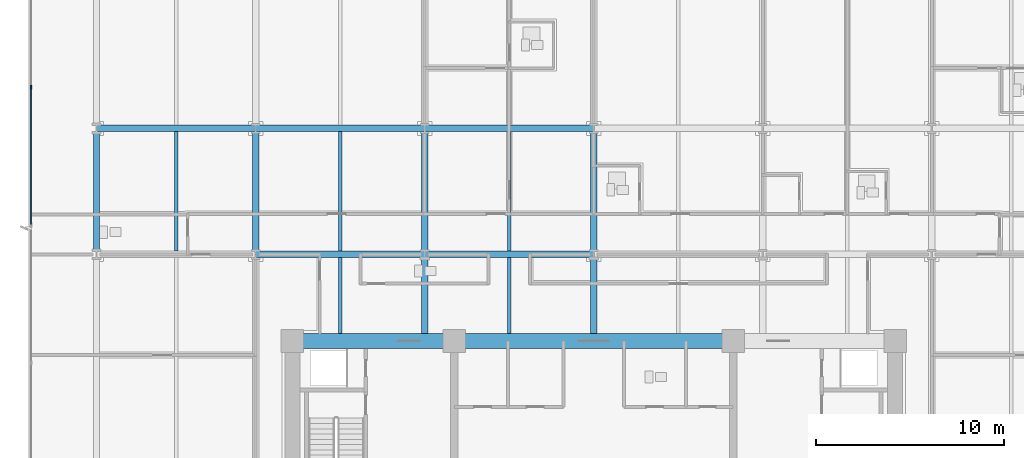
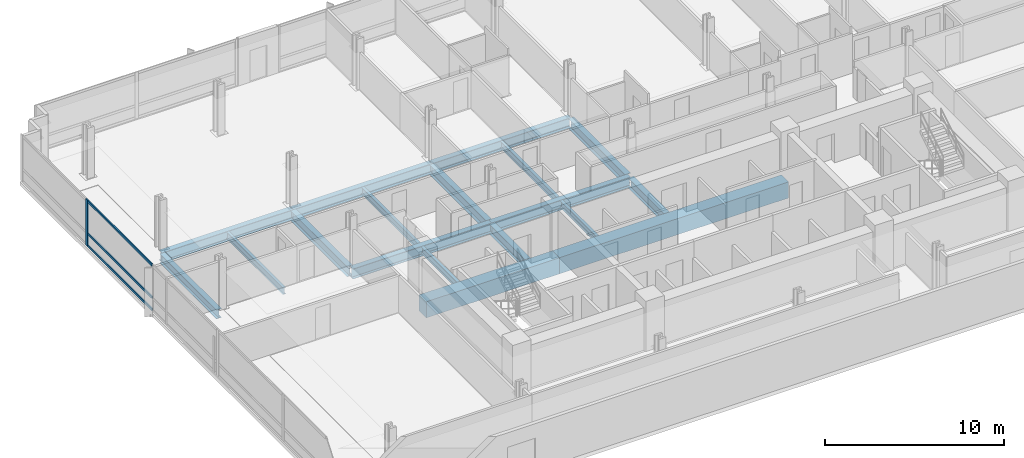
# One storey, part 3 of 17: 18 beams, 4 members, 1 element without a shape of its own.
"""IFC4 building model written with IfcOpenShell, lengths in metres."""

from ifc_helpers import new_model, si_unit, direction, frame, origin, origin_2d, place, context, subcontext, project, spatial, rectangle, i_section, extrude, material, material_profile, profile_set, type_object, element, aggregate, save


model = new_model("IFC4")

# Units and contexts
model_context = context("Model", 3, precision=1e-05, world=origin(), true_north=direction((0.0, 1.0)))
body_context = subcontext(model_context, "Body", "Model", "MODEL_VIEW")
ifc_project = project(units=[si_unit("LENGTHUNIT", "METRE"), si_unit("AREAUNIT", "SQUARE_METRE"), si_unit("VOLUMEUNIT", "CUBIC_METRE"), si_unit("PLANEANGLEUNIT", "RADIAN"), si_unit("MASSUNIT", "GRAM", prefix="KILO")], contexts=[model_context])

# Site, building, storey
site_placement = place(None, origin())
site = spatial("IfcSite", under=ifc_project, at=site_placement, CompositionType="ELEMENT")
building_placement = place(site_placement, origin())
building = spatial("IfcBuilding", under=site, at=building_placement, Name="Solmavex Isthmus Hotel", CompositionType="ELEMENT")
storey_placement = place(building_placement, frame((0.0, 0.0, 40.199951171875)))
storey = spatial("IfcBuildingStorey", under=building, at=storey_placement, Name="L10", CompositionType="ELEMENT", Elevation=40.199951171875)

# Beams
ifc_material_1 = material(Name="Steel ASTM A992 Grade 50", Category="steel")
ifc_material_profile_1 = material_profile(ifc_material_1, i_section(OverallWidth=0.354736328125, OverallDepth=0.695556640625, WebThickness=0.015380859375, FlangeThickness=0.02490234375, FilletRadius=0.017822265625, at=origin_2d()), Name="W27X146")
ifc_profile_set_1 = profile_set([ifc_material_profile_1], Name="Steel ASTM A992 Grade 50")
beam_type_1 = type_object("IfcBeamType", Name="BM-BG-W27X146", PredefinedType="BEAM", material=ifc_profile_set_1)
beam_1_placement = place(storey_placement, frame((-17.951904296875, 2.10009765625, -0.607666015625), z_axis=(1.0, 0.0, 0.0), x_axis=(0.0, 1.0, 0.0)))
element("IfcBeam", 1, at=beam_1_placement, inside=storey, type_object=beam_type_1, Name="Floor Girder L10-UG08", PredefinedType="BEAM", context=body_context, shape_type="SweptSolid", body=[
    extrude(i_section(OverallWidth=0.354736328125, OverallDepth=0.695556640625, WebThickness=0.015380859375, FlangeThickness=0.02490234375, FilletRadius=0.017822265625, at=origin_2d()), origin(), (0.0, 0.0, 1.0), 8.975830078125),
])
beam_2_placement = place(storey_placement, frame((-8.97607421875, 2.10009765625, -0.607666015625), z_axis=(1.0, 0.0, 0.0), x_axis=(0.0, 1.0, 0.0)))
element("IfcBeam", 2, at=beam_2_placement, inside=storey, type_object=beam_type_1, Name="Floor Girder L10-UG09", PredefinedType="BEAM", context=body_context, shape_type="SweptSolid", body=[
    extrude(i_section(OverallWidth=0.354736328125, OverallDepth=0.695556640625, WebThickness=0.015380859375, FlangeThickness=0.02490234375, FilletRadius=0.017822265625, at=origin_2d()), origin(), (0.0, 0.0, 1.0), 8.97607421875),
])
beam_3_placement = place(storey_placement, frame((-26.39990234375, 8.7880859375, -0.607666015625), z_axis=(1.0, 0.0, 0.0), x_axis=(0.0, 1.0, 0.0)))
element("IfcBeam", 3, at=beam_3_placement, inside=storey, type_object=beam_type_1, Name="Floor Girder L10-UG13", PredefinedType="BEAM", context=body_context, shape_type="SweptSolid", body=[
    extrude(i_section(OverallWidth=0.354736328125, OverallDepth=0.695556640625, WebThickness=0.015380859375, FlangeThickness=0.02490234375, FilletRadius=0.017822265625, at=origin_2d()), origin(), (0.0, 0.0, 1.0), 8.447998046875),
])
beam_4_placement = place(storey_placement, frame((-17.951904296875, 8.7880859375, -0.607666015625), z_axis=(1.0, 0.0, 0.0), x_axis=(0.0, 1.0, 0.0)))
element("IfcBeam", 4, at=beam_4_placement, inside=storey, type_object=beam_type_1, Name="Floor Girder L10-UG14", PredefinedType="BEAM", context=body_context, shape_type="SweptSolid", body=[
    extrude(i_section(OverallWidth=0.354736328125, OverallDepth=0.695556640625, WebThickness=0.015380859375, FlangeThickness=0.02490234375, FilletRadius=0.017822265625, at=origin_2d()), origin(), (0.0, 0.0, 1.0), 8.975830078125),
])
beam_5_placement = place(storey_placement, frame((-8.97607421875, 8.7880859375, -0.607666015625), z_axis=(1.0, 0.0, 0.0), x_axis=(0.0, 1.0, 0.0)))
element("IfcBeam", 5, at=beam_5_placement, inside=storey, type_object=beam_type_1, Name="Floor Girder L10-UG15", PredefinedType="BEAM", context=body_context, shape_type="SweptSolid", body=[
    extrude(i_section(OverallWidth=0.354736328125, OverallDepth=0.695556640625, WebThickness=0.015380859375, FlangeThickness=0.02490234375, FilletRadius=0.017822265625, at=origin_2d()), origin(), (0.0, 0.0, 1.0), 8.97607421875),
])
beam_6_placement = place(storey_placement, frame((-17.951904296875, 2.27734375, -0.607666015625), z_axis=(0.0, 1.0, 0.0), x_axis=(-1.0, 0.0, 0.0)))
element("IfcBeam", 6, at=beam_6_placement, inside=storey, type_object=beam_type_1, Name="Floor Beam L10-VG29", PredefinedType="BEAM", context=body_context, shape_type="SweptSolid", body=[
    extrude(i_section(OverallWidth=0.354736328125, OverallDepth=0.695556640625, WebThickness=0.015380859375, FlangeThickness=0.02490234375, FilletRadius=0.017822265625, at=origin_2d()), origin(), (0.0, 0.0, 1.0), 6.333251953125),
])
beam_7_placement = place(storey_placement, frame((-8.97607421875, -2.10009765625, -0.607666015625), z_axis=(0.0, 1.0, 0.0), x_axis=(-1.0, 0.0, 0.0)))
element("IfcBeam", 7, at=beam_7_placement, inside=storey, type_object=beam_type_1, Name="Floor Beam L10-VG32", PredefinedType="BEAM", context=body_context, shape_type="SweptSolid", body=[
    extrude(i_section(OverallWidth=0.354736328125, OverallDepth=0.695556640625, WebThickness=0.015380859375, FlangeThickness=0.02490234375, FilletRadius=0.017822265625, at=origin_2d()), origin(), (0.0, 0.0, 1.0), 4.022705078125),
])
beam_8_placement = place(storey_placement, frame((-8.97607421875, 2.27734375, -0.607666015625), z_axis=(0.0, 1.0, 0.0), x_axis=(-1.0, 0.0, 0.0)))
element("IfcBeam", 8, at=beam_8_placement, inside=storey, type_object=beam_type_1, Name="Floor Beam L10-VG33", PredefinedType="BEAM", context=body_context, shape_type="SweptSolid", body=[
    extrude(i_section(OverallWidth=0.354736328125, OverallDepth=0.695556640625, WebThickness=0.015380859375, FlangeThickness=0.02490234375, FilletRadius=0.017822265625, at=origin_2d()), origin(), (0.0, 0.0, 1.0), 6.333251953125),
])
beam_9_placement = place(storey_placement, frame((0.0, -2.10009765625, -0.607666015625), z_axis=(0.0, 1.0, 0.0), x_axis=(-1.0, 0.0, 0.0)))
element("IfcBeam", 9, at=beam_9_placement, inside=storey, type_object=beam_type_1, Name="Floor Beam L10-VG36", PredefinedType="BEAM", context=body_context, shape_type="SweptSolid", body=[
    extrude(i_section(OverallWidth=0.354736328125, OverallDepth=0.695556640625, WebThickness=0.015380859375, FlangeThickness=0.02490234375, FilletRadius=0.017822265625, at=origin_2d()), origin(), (0.0, 0.0, 1.0), 4.022705078125),
])
beam_10_placement = place(storey_placement, frame((0.0, 2.27734375, -0.607666015625), z_axis=(0.0, 1.0, 0.0), x_axis=(-1.0, 0.0, 0.0)))
element("IfcBeam", 10, at=beam_10_placement, inside=storey, type_object=beam_type_1, Name="Floor Beam L10-VG37", PredefinedType="BEAM", context=body_context, shape_type="SweptSolid", body=[
    extrude(i_section(OverallWidth=0.354736328125, OverallDepth=0.695556640625, WebThickness=0.015380859375, FlangeThickness=0.02490234375, FilletRadius=0.017822265625, at=origin_2d()), origin(), (0.0, 0.0, 1.0), 6.333251953125),
])
ifc_material_profile_2 = material_profile(ifc_material_1, i_section(OverallWidth=0.1904296875, OverallDepth=0.456787109375, WebThickness=0.009033203125, FlangeThickness=0.014404296875, FilletRadius=0.0126953125, at=origin_2d()), Name="W18X50")
ifc_profile_set_2 = profile_set([ifc_material_profile_2], Name="Steel ASTM A992 Grade 50")
beam_type_2 = type_object("IfcBeamType", Name="BM-BJ-W18X50", PredefinedType="JOIST", material=ifc_profile_set_2)
beam_11_placement = place(storey_placement, frame((-22.176025390625, 2.27734375, -0.48828125), z_axis=(0.0, 1.0, 0.0), x_axis=(-1.0, 0.0, 0.0)))
element("IfcBeam", 11, at=beam_11_placement, inside=storey, type_object=beam_type_2, Name="Secondary Floor Joist L10-J02", PredefinedType="JOIST", context=body_context, shape_type="SweptSolid", body=[
    extrude(i_section(OverallWidth=0.1904296875, OverallDepth=0.456787109375, WebThickness=0.009033203125, FlangeThickness=0.014404296875, FilletRadius=0.0126953125, at=origin_2d()), origin(), (0.0, 0.0, 1.0), 6.333251953125),
])
beam_12_placement = place(storey_placement, frame((-13.464111328125, -2.10009765625, -0.48828125), z_axis=(0.0, 1.0, 0.0), x_axis=(-1.0, 0.0, 0.0)))
element("IfcBeam", 12, at=beam_12_placement, inside=storey, type_object=beam_type_2, Name="Secondary Floor Joist L10-J05", PredefinedType="JOIST", context=body_context, shape_type="SweptSolid", body=[
    extrude(i_section(OverallWidth=0.1904296875, OverallDepth=0.456787109375, WebThickness=0.009033203125, FlangeThickness=0.014404296875, FilletRadius=0.0126953125, at=origin_2d()), origin(), (0.0, 0.0, 1.0), 4.022705078125),
])
beam_13_placement = place(storey_placement, frame((-13.464111328125, 2.27734375, -0.48828125), z_axis=(0.0, 1.0, 0.0), x_axis=(-1.0, 0.0, 0.0)))
element("IfcBeam", 13, at=beam_13_placement, inside=storey, type_object=beam_type_2, Name="Secondary Floor Joist L10-J06", PredefinedType="JOIST", context=body_context, shape_type="SweptSolid", body=[
    extrude(i_section(OverallWidth=0.1904296875, OverallDepth=0.456787109375, WebThickness=0.009033203125, FlangeThickness=0.014404296875, FilletRadius=0.0126953125, at=origin_2d()), origin(), (0.0, 0.0, 1.0), 6.333251953125),
])
beam_14_placement = place(storey_placement, frame((-4.488037109375, -2.10009765625, -0.48828125), z_axis=(0.0, 1.0, 0.0), x_axis=(-1.0, 0.0, 0.0)))
element("IfcBeam", 14, at=beam_14_placement, inside=storey, type_object=beam_type_2, Name="Secondary Floor Joist L10-J09", PredefinedType="JOIST", context=body_context, shape_type="SweptSolid", body=[
    extrude(i_section(OverallWidth=0.1904296875, OverallDepth=0.456787109375, WebThickness=0.009033203125, FlangeThickness=0.014404296875, FilletRadius=0.0126953125, at=origin_2d()), origin(), (0.0, 0.0, 1.0), 4.022705078125),
])
beam_15_placement = place(storey_placement, frame((-4.488037109375, 2.27734375, -0.48828125), z_axis=(0.0, 1.0, 0.0), x_axis=(-1.0, 0.0, 0.0)))
element("IfcBeam", 15, at=beam_15_placement, inside=storey, type_object=beam_type_2, Name="Secondary Floor Joist L10-J10", PredefinedType="JOIST", context=body_context, shape_type="SweptSolid", body=[
    extrude(i_section(OverallWidth=0.1904296875, OverallDepth=0.456787109375, WebThickness=0.009033203125, FlangeThickness=0.014404296875, FilletRadius=0.0126953125, at=origin_2d()), origin(), (0.0, 0.0, 1.0), 6.333251953125),
])
ifc_material_2 = material(Name="Concrete C70/85", Category="concrete")
ifc_material_profile_3 = material_profile(ifc_material_2, rectangle(XDim=0.800048828125, YDim=1.10009765625, at=origin_2d()), Name="RC800X1100")
ifc_profile_set_3 = profile_set([ifc_material_profile_3], Name="Concrete C70/85")
beam_type_3 = type_object("IfcBeamType", Name="BM-CB-800X1100", PredefinedType="BEAM", material=ifc_profile_set_3)
beam_16_placement = place(storey_placement, frame((-16.0, -2.5, -0.81005859375), z_axis=(1.0, 0.0, 0.0), x_axis=(0.0, 1.0, 0.0)))
element("IfcBeam", 16, at=beam_16_placement, inside=storey, type_object=beam_type_3, Name="Core Coupling Beam L10-CB4", PredefinedType="BEAM", context=body_context, shape_type="SweptSolid", body=[
    extrude(rectangle(XDim=0.800048828125, YDim=1.10009765625, at=origin_2d()), origin(), (0.0, 0.0, 1.0), 8.60009765625),
])
beam_17_placement = place(storey_placement, frame((-7.39990234375, -2.5, -0.81005859375), z_axis=(1.0, 0.0, 0.0), x_axis=(0.0, 1.0, 0.0)))
element("IfcBeam", 17, at=beam_17_placement, inside=storey, type_object=beam_type_3, Name="Core Coupling Beam L10-CB5", PredefinedType="BEAM", context=body_context, shape_type="SweptSolid", body=[
    extrude(rectangle(XDim=0.800048828125, YDim=1.10009765625, at=origin_2d()), origin(), (0.0, 0.0, 1.0), 14.7998046875),
])
ifc_material_profile_4 = material_profile(ifc_material_1, i_section(OverallWidth=0.326416015625, OverallDepth=0.621826171875, WebThickness=0.015380859375, FlangeThickness=0.0244140625, FilletRadius=0.01513671875, at=origin_2d()), Name="W24X131")
ifc_profile_set_4 = profile_set([ifc_material_profile_4], Name="Steel ASTM A992 Grade 50")
beam_type_4 = type_object("IfcBeamType", Name="BM-SP-W24X131", PredefinedType="SPANDREL", material=ifc_profile_set_4)
beam_18_placement = place(storey_placement, frame((-26.39990234375, 2.27734375, -0.57080078125), z_axis=(0.0, 1.0, 0.0), x_axis=(-1.0, 0.0, 0.0)))
element("IfcBeam", 18, at=beam_18_placement, inside=storey, type_object=beam_type_4, Name="Floor Beam L10-VG26", PredefinedType="SPANDREL", context=body_context, shape_type="SweptSolid", body=[
    extrude(i_section(OverallWidth=0.326416015625, OverallDepth=0.621826171875, WebThickness=0.015380859375, FlangeThickness=0.0244140625, FilletRadius=0.01513671875, at=origin_2d()), origin(), (0.0, 0.0, 1.0), 6.333251953125),
])

# Curtain wall, members
ifc_material_3 = material(Name="Aluminium alloy 6063-T6", Category="aluminium")
curtain_wall_type = type_object("IfcCurtainWallType", Name="CW-SYS-02", PredefinedType="NOTDEFINED", material=ifc_material_3)
curtain_wall_placement = place(storey_placement, origin())
curtain_wall = element("IfcCurtainWall", 19, at=curtain_wall_placement, inside=storey, type_object=curtain_wall_type, Name="Stick Curtain Wall CWL-L10-W1", PredefinedType="NOTDEFINED")
ifc_material_profile_5 = material_profile(ifc_material_3, rectangle(XDim=0.074951171875, YDim=0.219970703125, at=origin_2d()), Name="CWM-75X220")
ifc_profile_set_5 = profile_set([ifc_material_profile_5], Name="Aluminium alloy 6063-T6")
member_type_1 = type_object("IfcMemberType", Name="CW-SYS-02-MUL", PredefinedType="MULLION", material=ifc_profile_set_5)
member_1_placement = place(storey_placement, frame((-29.8798828125, 10.97998046875, 0.0), z_axis=(0.0, 0.0, 1.0), x_axis=(-1.0, 0.0, 0.0)))
member_1 = element("IfcMember", 20, at=member_1_placement, type_object=member_type_1, Name="CW-02 mullion 5", PredefinedType="MULLION", context=body_context, shape_type="SweptSolid", body=[
    extrude(rectangle(XDim=0.074951171875, YDim=0.219970703125, at=origin_2d()), origin(), (0.0, 0.0, 1.0), 3.18994140625),
])
ifc_material_profile_6 = material_profile(ifc_material_3, rectangle(XDim=0.074951171875, YDim=0.159912109375, at=origin_2d()), Name="CWT-75X160")
ifc_profile_set_6 = profile_set([ifc_material_profile_6], Name="Aluminium alloy 6063-T6")
member_type_2 = type_object("IfcMemberType", Name="CW-SYS-02-TRN", PredefinedType="USERDEFINED", material=ifc_profile_set_6)
member_2_placement = place(storey_placement, frame((-29.8798828125, 3.697509765625, 0.080078125), z_axis=(0.0, 1.0, 0.0), x_axis=(-1.0, 0.0, 0.0)))
member_2 = element("IfcMember", 21, at=member_2_placement, type_object=member_type_2, Name="CW-02 transom 4.1", ObjectType="TRANSOM", PredefinedType="USERDEFINED", context=body_context, shape_type="SweptSolid", body=[
    extrude(rectangle(XDim=0.074951171875, YDim=0.159912109375, at=origin_2d()), origin(), (0.0, 0.0, 1.0), 7.244873046875),
])
member_3_placement = place(storey_placement, frame((-29.8798828125, 3.697509765625, 0.900146484375), z_axis=(0.0, 1.0, 0.0), x_axis=(-1.0, 0.0, 0.0)))
member_3 = element("IfcMember", 22, at=member_3_placement, type_object=member_type_2, Name="CW-02 transom 4.2", ObjectType="TRANSOM", PredefinedType="USERDEFINED", context=body_context, shape_type="SweptSolid", body=[
    extrude(rectangle(XDim=0.074951171875, YDim=0.159912109375, at=origin_2d()), origin(), (0.0, 0.0, 1.0), 7.244873046875),
])
member_4_placement = place(storey_placement, frame((-29.8798828125, 3.697509765625, 3.110107421875), z_axis=(0.0, 1.0, 0.0), x_axis=(-1.0, 0.0, 0.0)))
member_4 = element("IfcMember", 23, at=member_4_placement, type_object=member_type_2, Name="CW-02 transom 4.3", ObjectType="TRANSOM", PredefinedType="USERDEFINED", context=body_context, shape_type="SweptSolid", body=[
    extrude(rectangle(XDim=0.074951171875, YDim=0.159912109375, at=origin_2d()), origin(), (0.0, 0.0, 1.0), 7.244873046875),
])
aggregate(curtain_wall, [member_1, member_2, member_3, member_4])

save(model, "model.ifc")
